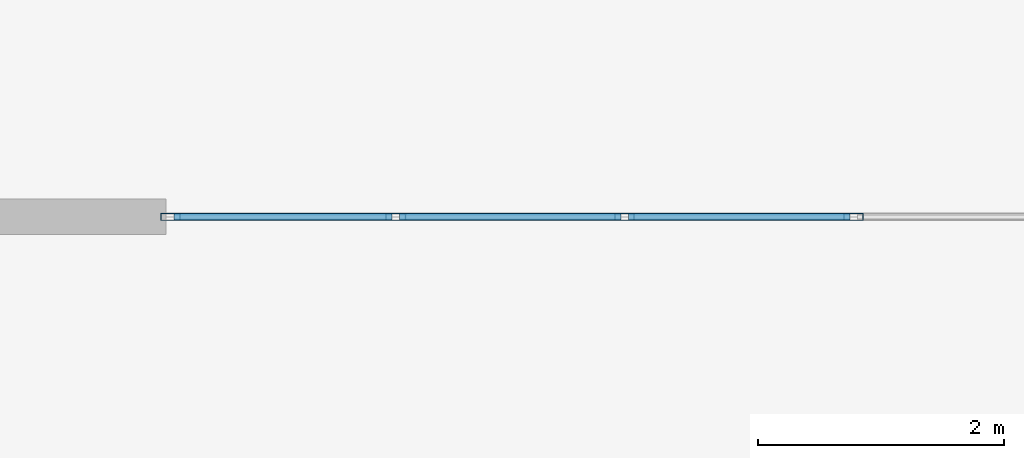
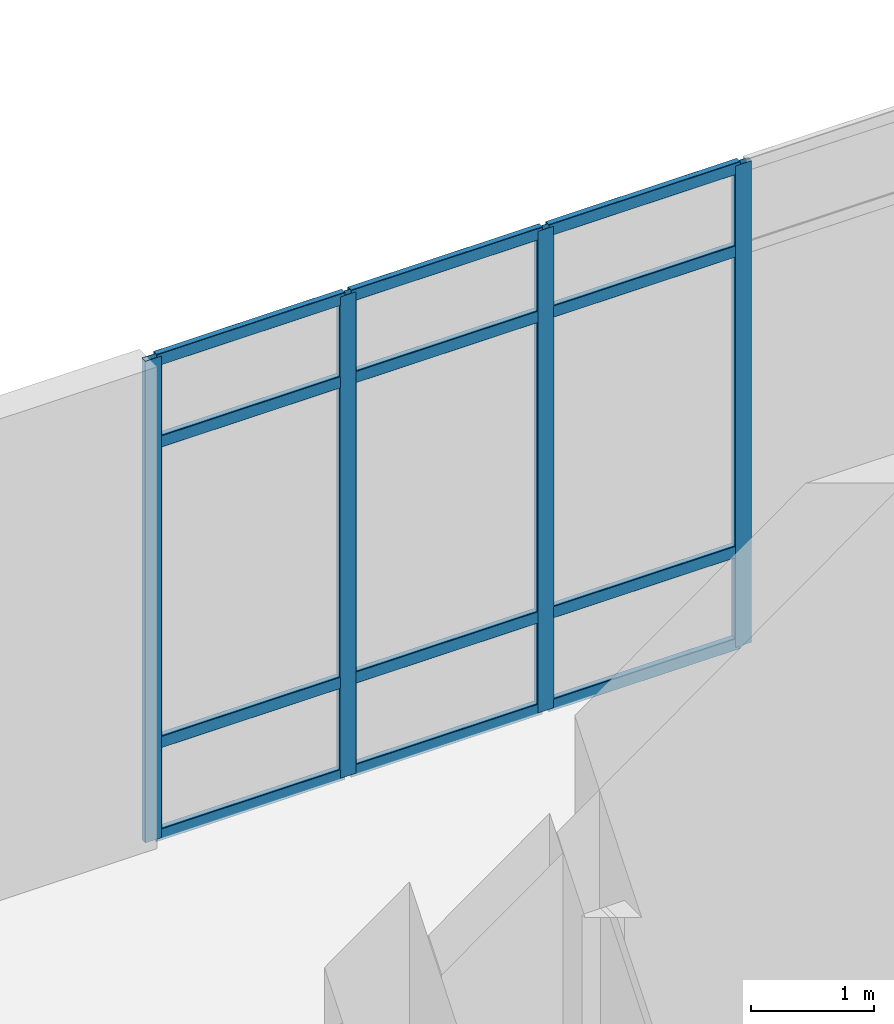
# One storey, part 68 of 124: 16 members, 1 element without a shape of its own.
"""IFC4 building model written with IfcOpenShell, lengths in metres."""

import ifcopenshell
import ifcopenshell.guid

model = None  # the IFC model being written
_history = None  # IfcOwnerHistory: only IFC2X3 demands one
_inside = {}  # id of a spatial element -> (the spatial element, [elements in it])
_under = {}  # id of a project, library or spatial element -> (it, [spatial elements below it])
_declared = {}  # id of a project -> (the project, [libraries it declares])
_typed = {}  # id of a type object -> (the type object, [elements of that type])
_made_of = {}  # id of a material, layer set ... -> (it, [elements and type objects made of it])


def new_model(schema):
    """Start an empty IFC model of exactly this schema.

    Asked for "IFC4X3", IfcOpenShell would pick the latest addendum, in which some entities
    have other attributes; the version numbers below select the first issue.
    IFC2X3 requires an IfcOwnerHistory on every rooted entity: one is made here for all.
    """
    global model, _history
    if schema == "IFC4X3":
        model = ifcopenshell.file(schema_version=(4, 3, 0, 0))
    else:
        model = ifcopenshell.file(schema=schema)
    _inside.clear()
    _under.clear()
    _declared.clear()
    _typed.clear()
    _made_of.clear()
    _history = None
    if model.schema == "IFC2X3":
        org = make("IfcOrganization", Name="unknown")
        user = make(
            "IfcPersonAndOrganization",
            ThePerson=make("IfcPerson", FamilyName="unknown"),
            TheOrganization=org,
        )
        app = make(
            "IfcApplication",
            ApplicationDeveloper=org,
            Version="unknown",
            ApplicationFullName="unknown",
            ApplicationIdentifier="unknown",
        )
        _history = make(
            "IfcOwnerHistory",
            OwningUser=user,
            OwningApplication=app,
            ChangeAction="ADDED",
            CreationDate=0,
        )
    return model


def make(cls, **values):
    """One entity of the class cls with the attributes given. An attribute that is None is left unset."""
    return model.create_entity(
        cls, **{name: value for name, value in values.items() if value is not None}
    )


def rooted(cls, **values):
    """An entity with a GlobalId (a new one), such as an element, a storey or a relation."""
    return make(cls, GlobalId=ifcopenshell.guid.new(), OwnerHistory=_history, **values)


def si_unit(unit_type, name, prefix=None):
    """IfcSIUnit, for example si_unit("LENGTHUNIT", "METRE", prefix="MILLI")."""
    return make("IfcSIUnit", UnitType=unit_type, Prefix=prefix, Name=name)


def derived_unit(unit_type, elements):
    """IfcDerivedUnit: a product of units, each with its exponent."""
    return make(
        "IfcDerivedUnit",
        Elements=[
            make("IfcDerivedUnitElement", Unit=unit, Exponent=power)
            for unit, power in elements
        ],
        UnitType=unit_type,
    )


def assignment(units):
    """IfcUnitAssignment: the units of a project."""
    return None if units is None else make("IfcUnitAssignment", Units=units)


def point(xyz):
    """IfcCartesianPoint."""
    return None if xyz is None else make("IfcCartesianPoint", Coordinates=xyz)


def direction(xyz):
    """IfcDirection."""
    return None if xyz is None else make("IfcDirection", DirectionRatios=xyz)


def frame(location, z_axis=None, x_axis=None):
    """IfcAxis2Placement3D, a coordinate frame: its origin and axes. An axis left out is left unset."""
    return make(
        "IfcAxis2Placement3D",
        Location=point(location),
        Axis=direction(z_axis),
        RefDirection=direction(x_axis),
    )


def frame_2d(location, x_axis=None):
    """IfcAxis2Placement2D, a coordinate frame in the plane: its origin and x axis."""
    return make(
        "IfcAxis2Placement2D", Location=point(location), RefDirection=direction(x_axis)
    )


def origin():
    """The frame at (0, 0, 0) with its axes left unset."""
    return frame((0.0, 0.0, 0.0))


def origin_2d():
    """The frame at (0, 0) in the plane with its x axis left unset."""
    return frame_2d((0.0, 0.0))


def place(relative_to, where):
    """IfcLocalPlacement: puts the frame where relative to a parent placement (None: the world)."""
    return make(
        "IfcLocalPlacement", PlacementRelTo=relative_to, RelativePlacement=where
    )


def context(
    kind, dimensions, precision=None, world=None, true_north=None, identifier=None
):
    """IfcGeometricRepresentationContext, for example the 3D "Model" context."""
    return make(
        "IfcGeometricRepresentationContext",
        ContextIdentifier=identifier,
        ContextType=kind,
        CoordinateSpaceDimension=dimensions,
        Precision=precision,
        WorldCoordinateSystem=world,
        TrueNorth=true_north,
    )


def subcontext(parent, identifier, kind, view, scale=None):
    """IfcGeometricRepresentationSubContext, for example "Body" below "Model"."""
    return make(
        "IfcGeometricRepresentationSubContext",
        ContextIdentifier=identifier,
        ContextType=kind,
        ParentContext=parent,
        TargetScale=scale,
        TargetView=view,
    )


def project(units=None, contexts=None):
    """IfcProject with its units and contexts."""
    return rooted(
        "IfcProject",
        Name="project",
        RepresentationContexts=contexts,
        UnitsInContext=assignment(units),
    )


def spatial(cls, under=None, at=None, **own):
    """A site, building, storey or space (cls), placed at a placement, below another one or the project."""
    s = rooted(cls, ObjectPlacement=at, **own)
    if under is not None:
        _under.setdefault(under.id(), (under, []))[1].append(s)
    return s


def profile(cls, at=None, kind="AREA", **sizes):
    """A parametric profile (cls). Its sizes go by their IFC names, for example OverallWidth=200.0."""
    return make(cls, ProfileType=kind, Position=at, **sizes)


def hollow_rectangle(**sizes):
    """IfcRectangleHollowProfileDef."""
    return profile("IfcRectangleHollowProfileDef", **sizes)


def extrude(swept, where, along, depth):
    """IfcExtrudedAreaSolid: the profile swept, set in the frame where, extruded along a direction by depth."""
    return make(
        "IfcExtrudedAreaSolid",
        SweptArea=swept,
        Position=where,
        ExtrudedDirection=direction(along),
        Depth=depth,
    )


def shape(context_of_items, identifier, shape_type, items):
    """IfcShapeRepresentation: the items that make up one representation, for example the "Body"."""
    return make(
        "IfcShapeRepresentation",
        ContextOfItems=context_of_items,
        RepresentationIdentifier=identifier,
        RepresentationType=shape_type,
        Items=items,
    )


def material(Name=None, Category=None):
    """IfcMaterial."""
    return make("IfcMaterial", Name=Name, Category=Category)


def layer(
    of_material, thickness, ventilated=None, Name=None, Category=None, Priority=None
):
    """IfcMaterialLayer: one layer of a wall or slab, of a material (None: an air gap)."""
    return make(
        "IfcMaterialLayer",
        Material=of_material,
        LayerThickness=thickness,
        IsVentilated=ventilated,
        Name=Name,
        Category=Category,
        Priority=Priority,
    )


def layer_set(layers, Name=None):
    """IfcMaterialLayerSet."""
    return make("IfcMaterialLayerSet", MaterialLayers=layers, LayerSetName=Name)


def material_profile(
    of_material, cross_section, Name=None, Category=None, Priority=None
):
    """IfcMaterialProfile: a cross section and its material."""
    return make(
        "IfcMaterialProfile",
        Name=Name,
        Material=of_material,
        Profile=cross_section,
        Priority=Priority,
        Category=Category,
    )


def profile_set(profiles, Name=None, composite=None):
    """IfcMaterialProfileSet."""
    return make(
        "IfcMaterialProfileSet",
        Name=Name,
        MaterialProfiles=profiles,
        CompositeProfile=composite,
    )


def made_of(thing, what):
    """Note that an element or type object is made of a material, layer set ...; save() writes the relation."""
    if what is not None:
        _made_of.setdefault(what.id(), (what, []))[1].append(thing)
    return thing


def type_object(cls, material=None, **own):
    """A type object (cls), such as IfcWallType, which elements share."""
    return made_of(rooted(cls, **own), material)


def element(
    cls,
    number,
    at=None,
    inside=None,
    cuts=None,
    type_object=None,
    material=None,
    context=None,
    identifier="Body",
    shape_type=None,
    held_by="IfcProductDefinitionShape",
    body=None,
    shapes=None,
    **own,
):
    """One element of the class cls, such as IfcWall. Its Tag is "e" and its number.

    at: its placement. inside: the storey or other place that contains it. cuts: it is an
    opening in that element (IfcRelVoidsElement). A single representation is given by context,
    identifier, shape_type and body (its items); several are given by shapes. held_by: the class
    of the entity that holds the representations. save() writes the other relations.
    """
    e = rooted(cls, Tag="e%d" % number, ObjectPlacement=at, **own)
    if body is not None:
        shapes = [shape(context, identifier, shape_type, body)]
    if shapes is not None:
        e.Representation = make(held_by, Representations=shapes)
    if inside is not None:
        _inside.setdefault(inside.id(), (inside, []))[1].append(e)
    if cuts is not None:
        rooted(
            "IfcRelVoidsElement", RelatingBuildingElement=cuts, RelatedOpeningElement=e
        )
    if type_object is not None:
        _typed.setdefault(type_object.id(), (type_object, []))[1].append(e)
    return made_of(e, material)


def aggregate(whole, parts):
    """IfcRelAggregates: a whole, such as a stair, and the parts it consists of."""
    return rooted("IfcRelAggregates", RelatingObject=whole, RelatedObjects=parts)


def save(model, path):
    """Write the relations noted so far, then the file.

    IfcRelAggregates (storeys below a building ...), IfcRelContainedInSpatialStructure (elements
    in a storey), IfcRelDefinesByType, IfcRelAssociatesMaterial and IfcRelDeclares: one each for
    every whole, place, type object, material and project.
    """
    for whole, parts in _under.values():
        aggregate(whole, parts)
    for where, things in _inside.values():
        rooted(
            "IfcRelContainedInSpatialStructure",
            RelatedElements=things,
            RelatingStructure=where,
        )
    for kind, things in _typed.values():
        rooted("IfcRelDefinesByType", RelatedObjects=things, RelatingType=kind)
    for what, things in _made_of.values():
        rooted("IfcRelAssociatesMaterial", RelatedObjects=things, RelatingMaterial=what)
    for by, libraries in _declared.values():
        rooted("IfcRelDeclares", RelatingContext=by, RelatedDefinitions=libraries)
    model.write(path)


model = new_model("IFC4")

# Units and contexts
model_context = context("Model", 3, precision=1e-05, world=origin(), true_north=direction((0.0, 1.0)))
body_context = subcontext(model_context, "Body", "Model", "MODEL_VIEW")
ifc_project = project(units=[si_unit("LENGTHUNIT", "METRE"), si_unit("AREAUNIT", "SQUARE_METRE"), si_unit("VOLUMEUNIT", "CUBIC_METRE"), si_unit("PLANEANGLEUNIT", "RADIAN"), si_unit("MASSUNIT", "GRAM", prefix="KILO"), derived_unit("THERMALTRANSMITTANCEUNIT", [(si_unit("MASSUNIT", "GRAM", prefix="KILO"), 1), (si_unit("TIMEUNIT", "SECOND"), -3), (si_unit("THERMODYNAMICTEMPERATUREUNIT", "KELVIN"), -1)])], contexts=[model_context])

# Site, building, storey
site_placement = place(None, origin())
site = spatial("IfcSite", under=ifc_project, at=site_placement, CompositionType="ELEMENT")
building_placement = place(site_placement, origin())
building = spatial("IfcBuilding", under=site, at=building_placement, Name="Qinzheling Arcade Emporium", CompositionType="ELEMENT")
storey_placement = place(building_placement, frame((0.0, 0.0, 16.5)))
storey = spatial("IfcBuildingStorey", under=building, at=storey_placement, Name="L04", CompositionType="ELEMENT", Elevation=16.5)

# Curtain wall, members
ifc_material_1 = material(Name="Anodised aluminium and solar-control double glazing", Category="aluminium")
ifc_layer = layer(ifc_material_1, 0.159912109375, Name="Anodised aluminium and solar-control double glazing", Category="aluminium")
ifc_layer_set = layer_set([ifc_layer], Name="Anodised aluminium and solar-control double glazing")
curtain_wall_type = type_object("IfcCurtainWallType", Name="Arcade Portal Glazed Curtain Wall", PredefinedType="NOTDEFINED", material=ifc_layer_set)
curtain_wall_placement = place(storey_placement, origin())
curtain_wall = element("IfcCurtainWall", 1, at=curtain_wall_placement, inside=storey, type_object=curtain_wall_type, Name="Curtain Wall CW-L04-263", PredefinedType="NOTDEFINED")
ifc_material_2 = material(Name="Anodised aluminium 6063-T6", Category="aluminium")
ifc_material_profile_1 = material_profile(ifc_material_2, hollow_rectangle(XDim=0.06005859375, YDim=0.159912109375, WallThickness=0.00390625, InnerFilletRadius=0.00390625, OuterFilletRadius=0.008056640625, at=origin_2d()), Name="RHS 160x60x4", Category="aluminium")
ifc_profile_set_1 = profile_set([ifc_material_profile_1], Name="Anodised aluminium 6063-T6")
member_type_1 = type_object("IfcMemberType", Name="Curtain Wall Mullion RHS160x60", PredefinedType="MULLION", material=ifc_profile_set_1)
member_1_placement = place(storey_placement, frame((113.73193359375, 111.800048828125, 0.0), z_axis=(0.0, 0.0, 1.0), x_axis=(0.0, 1.0, 0.0)))
member_1 = element("IfcMember", 2, at=member_1_placement, type_object=member_type_1, Name="CW05 mullion 1", PredefinedType="MULLION", context=body_context, shape_type="SweptSolid", body=[
    extrude(hollow_rectangle(XDim=0.06005859375, YDim=0.159912109375, WallThickness=0.00390625, InnerFilletRadius=0.00390625, OuterFilletRadius=0.008056640625, at=origin_2d()), origin(), (0.0, 0.0, 1.0), 4.7900390625),
])
member_2_placement = place(storey_placement, frame((115.5615234375, 111.800048828125, 0.0), z_axis=(0.0, 0.0, 1.0), x_axis=(0.0, 1.0, 0.0)))
member_2 = element("IfcMember", 3, at=member_2_placement, type_object=member_type_1, Name="CW05 mullion 2", PredefinedType="MULLION", context=body_context, shape_type="SweptSolid", body=[
    extrude(hollow_rectangle(XDim=0.06005859375, YDim=0.159912109375, WallThickness=0.00390625, InnerFilletRadius=0.00390625, OuterFilletRadius=0.008056640625, at=origin_2d()), origin(), (0.0, 0.0, 1.0), 4.7900390625),
])
member_3_placement = place(storey_placement, frame((117.421142578125, 111.800048828125, 0.0), z_axis=(0.0, 0.0, 1.0), x_axis=(0.0, 1.0, 0.0)))
member_3 = element("IfcMember", 4, at=member_3_placement, type_object=member_type_1, Name="CW05 mullion 3", PredefinedType="MULLION", context=body_context, shape_type="SweptSolid", body=[
    extrude(hollow_rectangle(XDim=0.06005859375, YDim=0.159912109375, WallThickness=0.00390625, InnerFilletRadius=0.00390625, OuterFilletRadius=0.008056640625, at=origin_2d()), origin(), (0.0, 0.0, 1.0), 4.7900390625),
])
member_4_placement = place(storey_placement, frame((119.28076171875, 111.800048828125, 0.0), z_axis=(0.0, 0.0, 1.0), x_axis=(0.0, 1.0, 0.0)))
member_4 = element("IfcMember", 5, at=member_4_placement, type_object=member_type_1, Name="CW05 mullion 4", PredefinedType="MULLION", context=body_context, shape_type="SweptSolid", body=[
    extrude(hollow_rectangle(XDim=0.06005859375, YDim=0.159912109375, WallThickness=0.00390625, InnerFilletRadius=0.00390625, OuterFilletRadius=0.008056640625, at=origin_2d()), origin(), (0.0, 0.0, 1.0), 4.7900390625),
])
ifc_material_profile_2 = material_profile(ifc_material_2, hollow_rectangle(XDim=0.06005859375, YDim=0.1201171875, WallThickness=0.00390625, InnerFilletRadius=0.00390625, OuterFilletRadius=0.008056640625, at=origin_2d()), Name="RHS 120x60x4", Category="aluminium")
ifc_profile_set_2 = profile_set([ifc_material_profile_2], Name="Anodised aluminium 6063-T6")
member_type_2 = type_object("IfcMemberType", Name="Curtain Wall Transom RHS120x60", PredefinedType="USERDEFINED", material=ifc_profile_set_2)
member_5_placement = place(storey_placement, frame((113.761962890625, 111.800048828125, 0.030029296875), z_axis=(1.0, 0.0, 0.0), x_axis=(0.0, 1.0, 0.0)))
member_5 = element("IfcMember", 6, at=member_5_placement, type_object=member_type_2, Name="CW05 transom 1.1", ObjectType="TRANSOM", PredefinedType="USERDEFINED", context=body_context, shape_type="SweptSolid", body=[
    extrude(hollow_rectangle(XDim=0.06005859375, YDim=0.1201171875, WallThickness=0.00390625, InnerFilletRadius=0.00390625, OuterFilletRadius=0.008056640625, at=origin_2d()), origin(), (0.0, 0.0, 1.0), 1.76953125),
])
member_6_placement = place(storey_placement, frame((113.761962890625, 111.800048828125, 0.949951171875), z_axis=(1.0, 0.0, 0.0), x_axis=(0.0, 1.0, 0.0)))
member_6 = element("IfcMember", 7, at=member_6_placement, type_object=member_type_2, Name="CW05 transom 1.2", ObjectType="TRANSOM", PredefinedType="USERDEFINED", context=body_context, shape_type="SweptSolid", body=[
    extrude(hollow_rectangle(XDim=0.06005859375, YDim=0.1201171875, WallThickness=0.00390625, InnerFilletRadius=0.00390625, OuterFilletRadius=0.008056640625, at=origin_2d()), origin(), (0.0, 0.0, 1.0), 1.76953125),
])
member_7_placement = place(storey_placement, frame((113.761962890625, 111.800048828125, 3.93994140625), z_axis=(1.0, 0.0, 0.0), x_axis=(0.0, 1.0, 0.0)))
member_7 = element("IfcMember", 8, at=member_7_placement, type_object=member_type_2, Name="CW05 transom 1.3", ObjectType="TRANSOM", PredefinedType="USERDEFINED", context=body_context, shape_type="SweptSolid", body=[
    extrude(hollow_rectangle(XDim=0.06005859375, YDim=0.1201171875, WallThickness=0.00390625, InnerFilletRadius=0.00390625, OuterFilletRadius=0.008056640625, at=origin_2d()), origin(), (0.0, 0.0, 1.0), 1.76953125),
])
member_8_placement = place(storey_placement, frame((113.761962890625, 111.800048828125, 4.760009765625), z_axis=(1.0, 0.0, 0.0), x_axis=(0.0, 1.0, 0.0)))
member_8 = element("IfcMember", 9, at=member_8_placement, type_object=member_type_2, Name="CW05 transom 1.4", ObjectType="TRANSOM", PredefinedType="USERDEFINED", context=body_context, shape_type="SweptSolid", body=[
    extrude(hollow_rectangle(XDim=0.06005859375, YDim=0.1201171875, WallThickness=0.00390625, InnerFilletRadius=0.00390625, OuterFilletRadius=0.008056640625, at=origin_2d()), origin(), (0.0, 0.0, 1.0), 1.76953125),
])
member_9_placement = place(storey_placement, frame((115.591552734375, 111.800048828125, 0.030029296875), z_axis=(1.0, 0.0, 0.0), x_axis=(0.0, 1.0, 0.0)))
member_9 = element("IfcMember", 10, at=member_9_placement, type_object=member_type_2, Name="CW05 transom 2.1", ObjectType="TRANSOM", PredefinedType="USERDEFINED", context=body_context, shape_type="SweptSolid", body=[
    extrude(hollow_rectangle(XDim=0.06005859375, YDim=0.1201171875, WallThickness=0.00390625, InnerFilletRadius=0.00390625, OuterFilletRadius=0.008056640625, at=origin_2d()), origin(), (0.0, 0.0, 1.0), 1.799560546875),
])
member_10_placement = place(storey_placement, frame((115.591552734375, 111.800048828125, 0.949951171875), z_axis=(1.0, 0.0, 0.0), x_axis=(0.0, 1.0, 0.0)))
member_10 = element("IfcMember", 11, at=member_10_placement, type_object=member_type_2, Name="CW05 transom 2.2", ObjectType="TRANSOM", PredefinedType="USERDEFINED", context=body_context, shape_type="SweptSolid", body=[
    extrude(hollow_rectangle(XDim=0.06005859375, YDim=0.1201171875, WallThickness=0.00390625, InnerFilletRadius=0.00390625, OuterFilletRadius=0.008056640625, at=origin_2d()), origin(), (0.0, 0.0, 1.0), 1.799560546875),
])
member_11_placement = place(storey_placement, frame((115.591552734375, 111.800048828125, 3.93994140625), z_axis=(1.0, 0.0, 0.0), x_axis=(0.0, 1.0, 0.0)))
member_11 = element("IfcMember", 12, at=member_11_placement, type_object=member_type_2, Name="CW05 transom 2.3", ObjectType="TRANSOM", PredefinedType="USERDEFINED", context=body_context, shape_type="SweptSolid", body=[
    extrude(hollow_rectangle(XDim=0.06005859375, YDim=0.1201171875, WallThickness=0.00390625, InnerFilletRadius=0.00390625, OuterFilletRadius=0.008056640625, at=origin_2d()), origin(), (0.0, 0.0, 1.0), 1.799560546875),
])
member_12_placement = place(storey_placement, frame((115.591552734375, 111.800048828125, 4.760009765625), z_axis=(1.0, 0.0, 0.0), x_axis=(0.0, 1.0, 0.0)))
member_12 = element("IfcMember", 13, at=member_12_placement, type_object=member_type_2, Name="CW05 transom 2.4", ObjectType="TRANSOM", PredefinedType="USERDEFINED", context=body_context, shape_type="SweptSolid", body=[
    extrude(hollow_rectangle(XDim=0.06005859375, YDim=0.1201171875, WallThickness=0.00390625, InnerFilletRadius=0.00390625, OuterFilletRadius=0.008056640625, at=origin_2d()), origin(), (0.0, 0.0, 1.0), 1.799560546875),
])
member_13_placement = place(storey_placement, frame((117.451171875, 111.800048828125, 0.030029296875), z_axis=(1.0, 0.0, 0.0), x_axis=(0.0, 1.0, 0.0)))
member_13 = element("IfcMember", 14, at=member_13_placement, type_object=member_type_2, Name="CW05 transom 3.1", ObjectType="TRANSOM", PredefinedType="USERDEFINED", context=body_context, shape_type="SweptSolid", body=[
    extrude(hollow_rectangle(XDim=0.06005859375, YDim=0.1201171875, WallThickness=0.00390625, InnerFilletRadius=0.00390625, OuterFilletRadius=0.008056640625, at=origin_2d()), origin(), (0.0, 0.0, 1.0), 1.799560546875),
])
member_14_placement = place(storey_placement, frame((117.451171875, 111.800048828125, 0.949951171875), z_axis=(1.0, 0.0, 0.0), x_axis=(0.0, 1.0, 0.0)))
member_14 = element("IfcMember", 15, at=member_14_placement, type_object=member_type_2, Name="CW05 transom 3.2", ObjectType="TRANSOM", PredefinedType="USERDEFINED", context=body_context, shape_type="SweptSolid", body=[
    extrude(hollow_rectangle(XDim=0.06005859375, YDim=0.1201171875, WallThickness=0.00390625, InnerFilletRadius=0.00390625, OuterFilletRadius=0.008056640625, at=origin_2d()), origin(), (0.0, 0.0, 1.0), 1.799560546875),
])
member_15_placement = place(storey_placement, frame((117.451171875, 111.800048828125, 3.93994140625), z_axis=(1.0, 0.0, 0.0), x_axis=(0.0, 1.0, 0.0)))
member_15 = element("IfcMember", 16, at=member_15_placement, type_object=member_type_2, Name="CW05 transom 3.3", ObjectType="TRANSOM", PredefinedType="USERDEFINED", context=body_context, shape_type="SweptSolid", body=[
    extrude(hollow_rectangle(XDim=0.06005859375, YDim=0.1201171875, WallThickness=0.00390625, InnerFilletRadius=0.00390625, OuterFilletRadius=0.008056640625, at=origin_2d()), origin(), (0.0, 0.0, 1.0), 1.799560546875),
])
member_16_placement = place(storey_placement, frame((117.451171875, 111.800048828125, 4.760009765625), z_axis=(1.0, 0.0, 0.0), x_axis=(0.0, 1.0, 0.0)))
member_16 = element("IfcMember", 17, at=member_16_placement, type_object=member_type_2, Name="CW05 transom 3.4", ObjectType="TRANSOM", PredefinedType="USERDEFINED", context=body_context, shape_type="SweptSolid", body=[
    extrude(hollow_rectangle(XDim=0.06005859375, YDim=0.1201171875, WallThickness=0.00390625, InnerFilletRadius=0.00390625, OuterFilletRadius=0.008056640625, at=origin_2d()), origin(), (0.0, 0.0, 1.0), 1.799560546875),
])
aggregate(curtain_wall, [member_1, member_2, member_3, member_4, member_5, member_6, member_7, member_8, member_9, member_10, member_11, member_12, member_13, member_14, member_15, member_16])

save(model, "model.ifc")
